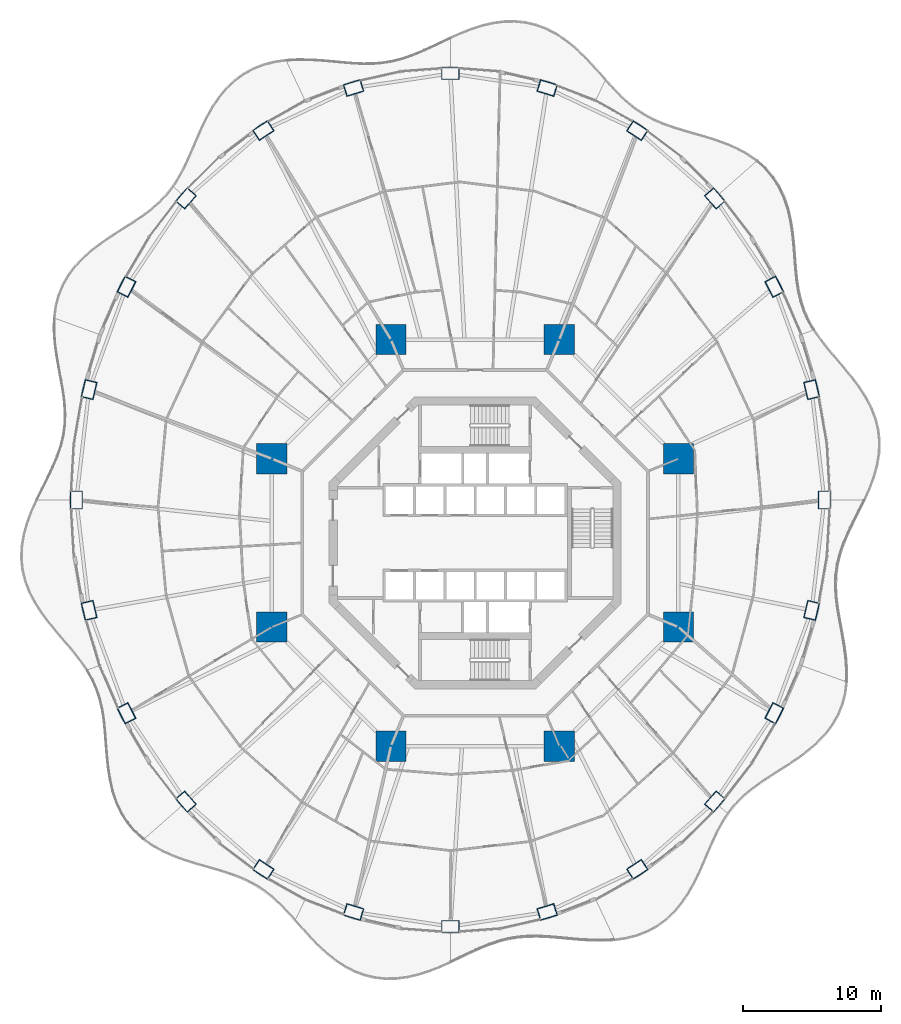
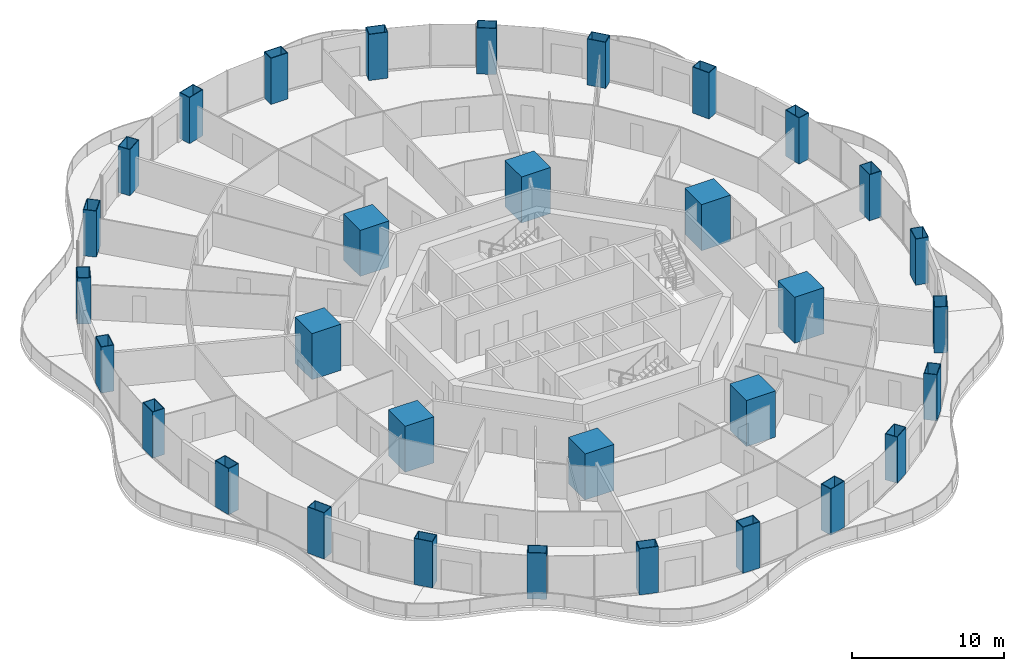
# One storey, part 1 of 22: 32 columns.
"""IFC4 building model written with IfcOpenShell, lengths in metres."""

from ifc_helpers import new_model, si_unit, direction, frame, origin, origin_2d, place, context, subcontext, project, spatial, rectangle, hollow_rectangle, extrude, material, material_profile, profile_set, type_object, element, save


model = new_model("IFC4")

# Units and contexts
model_context = context("Model", 3, precision=1e-05, world=origin(), true_north=direction((0.0, 1.0)))
body_context = subcontext(model_context, "Body", "Model", "MODEL_VIEW")
ifc_project = project(units=[si_unit("LENGTHUNIT", "METRE"), si_unit("AREAUNIT", "SQUARE_METRE"), si_unit("VOLUMEUNIT", "CUBIC_METRE"), si_unit("PLANEANGLEUNIT", "RADIAN"), si_unit("MASSUNIT", "GRAM", prefix="KILO")], contexts=[model_context])

# Site, building, storey
site_placement = place(None, origin())
site = spatial("IfcSite", under=ifc_project, at=site_placement, CompositionType="ELEMENT")
building_placement = place(site_placement, origin())
building = spatial("IfcBuilding", under=site, at=building_placement, Name="Nagisa Residences", CompositionType="ELEMENT")
storey_placement = place(building_placement, frame((0.0, 0.0, 95.5)))
storey = spatial("IfcBuildingStorey", under=building, at=storey_placement, Name="L23", CompositionType="ELEMENT", Elevation=95.5)

# Columns
ifc_material_1 = material(Name="Concrete C80", Category="concrete")
ifc_material_profile_1 = material_profile(ifc_material_1, rectangle(XDim=2.199951171875, YDim=2.199951171875, at=origin_2d()), Name="C80 2200x2200")
ifc_profile_set_1 = profile_set([ifc_material_profile_1], Name="Concrete C80")
column_type_1 = type_object("IfcColumnType", Name="Inner megacolumn C80 2200x2200", PredefinedType="COLUMN", material=ifc_profile_set_1)
for number, where, z_axis, x_axis, name in (
    (1, (14.781982421875, 6.123046875, 0.0), (0.0, 0.0, 1.0), (1.0, 0.0, 0.0), "col:L23:i1"),
    (2, (6.123046875, 14.781982421875, 0.0), (0.0, 0.0, 1.0), (1.0, 0.0, 0.0), "col:L23:i2"),
    (3, (-6.123046875, 14.781982421875, 0.0), (0.0, 0.0, 1.0), (1.0, 0.0, 0.0), "col:L23:i3"),
    (4, (-14.781982421875, 6.123046875, 0.0), (0.0, 0.0, 1.0), (1.0, 0.0, 0.0), "col:L23:i4"),
    (5, (-14.781982421875, -6.123046875, 0.0), (0.0, 0.0, 1.0), (1.0, 0.0, 0.0), "col:L23:i5"),
    (6, (-6.123046875, -14.781982421875, 0.0), (0.0, 0.0, 1.0), (1.0, 0.0, 0.0), "col:L23:i6"),
    (7, (6.123046875, -14.781982421875, 0.0), (0.0, 0.0, 1.0), (1.0, 0.0, 0.0), "col:L23:i7"),
    (8, (14.781982421875, -6.123046875, 0.0), (0.0, 0.0, 1.0), (1.0, 0.0, 0.0), "col:L23:i8"),
):
    element("IfcColumn", number, at=place(storey_placement, frame(where, z_axis=z_axis, x_axis=x_axis)), inside=storey, type_object=column_type_1, Name=name, PredefinedType="COLUMN", context=body_context, shape_type="SweptSolid", body=[
        extrude(rectangle(XDim=2.199951171875, YDim=2.199951171875, at=origin_2d()), origin(), (0.0, 0.0, 1.0), 3.699951171875),
    ])
ifc_material_2 = material(Name="Steel ASTM A572 Gr 50", Category="steel")
ifc_material_profile_2 = material_profile(ifc_material_2, hollow_rectangle(XDim=1.300048828125, YDim=0.89990234375, WallThickness=0.044921875, at=origin_2d()), Name="BX 1300x900x45")
ifc_profile_set_2 = profile_set([ifc_material_profile_2], Name="Steel ASTM A572 Gr 50")
column_type_2 = type_object("IfcColumnType", Name="Perimeter column BX 1300x900x45", PredefinedType="COLUMN", material=ifc_profile_set_2)
for number, where, z_axis, x_axis, name in (
    (9, (25.39501953125, 3.11767578125, 0.0), (0.0, 0.0, 1.0), (0.0, 1.0, 0.0), "col:L23:p00"),
    (10, (24.46826171875, 11.14501953125, 0.0), (0.0, 0.0, 1.0), (-0.229202013103, 0.973378876486, 0.0), "col:L23:p01"),
    (11, (21.75146484375, 18.625244140625, 0.0), (0.0, 0.0, 1.0), (-0.452462697578, 0.891783329795, 0.0), "col:L23:p02"),
    (12, (17.4296875, 25.048583984375, 0.0), (0.0, 0.0, 1.0), (-0.660114607735, 0.751164898445, 0.0), "col:L23:p03"),
    (13, (11.797607421875, 29.9775390625, 0.0), (0.0, 0.0, 1.0), (-0.835766105673, 0.54908561865, 0.0), "col:L23:p04"),
    (14, (5.238525390625, 33.075927734375, 0.0), (0.0, 0.0, 1.0), (-0.956524583408, 0.291651712384, 0.0), "col:L23:p05"),
    (15, (-1.800048828125, 34.1328125, 0.0), (0.0, 0.0, 1.0), (-1.0, 0.0, 0.0), "col:L23:p06"),
    (16, (-8.838623046875, 33.075927734375, 0.0), (0.0, 0.0, 1.0), (-0.956524583408, -0.291651712384, 0.0), "col:L23:p07"),
    (17, (-15.3974609375, 29.9775390625, 0.0), (0.0, 0.0, 1.0), (-0.835766105673, -0.54908561865, 0.0), "col:L23:p08"),
    (18, (-21.02978515625, 25.048583984375, 0.0), (0.0, 0.0, 1.0), (-0.660114607735, -0.751164898445, 0.0), "col:L23:p09"),
    (19, (-25.3515625, 18.625244140625, 0.0), (0.0, 0.0, 1.0), (-0.452462697578, -0.891783329795, 0.0), "col:L23:p10"),
    (20, (-28.068359375, 11.14501953125, 0.0), (0.0, 0.0, 1.0), (-0.229202013103, -0.973378876486, 0.0), "col:L23:p11"),
    (21, (-28.9951171875, 3.11767578125, 0.0), (0.0, 0.0, 1.0), (0.0, -1.0, 0.0), "col:L23:p12"),
    (22, (-28.068359375, -4.90966796875, 0.0), (0.0, 0.0, 1.0), (0.229202013103, -0.973378876486, 0.0), "col:L23:p13"),
    (23, (-25.3515625, -12.389892578125, 0.0), (0.0, 0.0, 1.0), (0.452462697578, -0.891783329795, 0.0), "col:L23:p14"),
    (24, (-21.02978515625, -18.813232421875, 0.0), (0.0, 0.0, 1.0), (0.660114607735, -0.751164898445, 0.0), "col:L23:p15"),
    (25, (-15.3974609375, -23.7421875, 0.0), (0.0, 0.0, 1.0), (0.835766105673, -0.54908561865, 0.0), "col:L23:p16"),
    (26, (-8.838623046875, -26.840576171875, 0.0), (0.0, 0.0, 1.0), (0.956524583408, -0.291651712384, 0.0), "col:L23:p17"),
    (27, (-1.800048828125, -27.897216796875, 0.0), (0.0, 0.0, 1.0), (1.0, 0.0, 0.0), "col:L23:p18"),
    (28, (5.238525390625, -26.840576171875, 0.0), (0.0, 0.0, 1.0), (0.956524583408, 0.291651712384, 0.0), "col:L23:p19"),
    (29, (11.797607421875, -23.7421875, 0.0), (0.0, 0.0, 1.0), (0.835766105673, 0.54908561865, 0.0), "col:L23:p20"),
    (30, (17.4296875, -18.813232421875, 0.0), (0.0, 0.0, 1.0), (0.660114607735, 0.751164898445, 0.0), "col:L23:p21"),
    (31, (21.75146484375, -12.389892578125, 0.0), (0.0, 0.0, 1.0), (0.452462697578, 0.891783329795, 0.0), "col:L23:p22"),
    (32, (24.46826171875, -4.90966796875, 0.0), (0.0, 0.0, 1.0), (0.229202013103, 0.973378876486, 0.0), "col:L23:p23"),
):
    element("IfcColumn", number, at=place(storey_placement, frame(where, z_axis=z_axis, x_axis=x_axis)), inside=storey, type_object=column_type_2, Name=name, PredefinedType="COLUMN", context=body_context, shape_type="SweptSolid", body=[
        extrude(hollow_rectangle(XDim=1.300048828125, YDim=0.89990234375, WallThickness=0.044921875, at=origin_2d()), origin(), (0.0, 0.0, 1.0), 3.699951171875),
    ])

save(model, "model.ifc")
